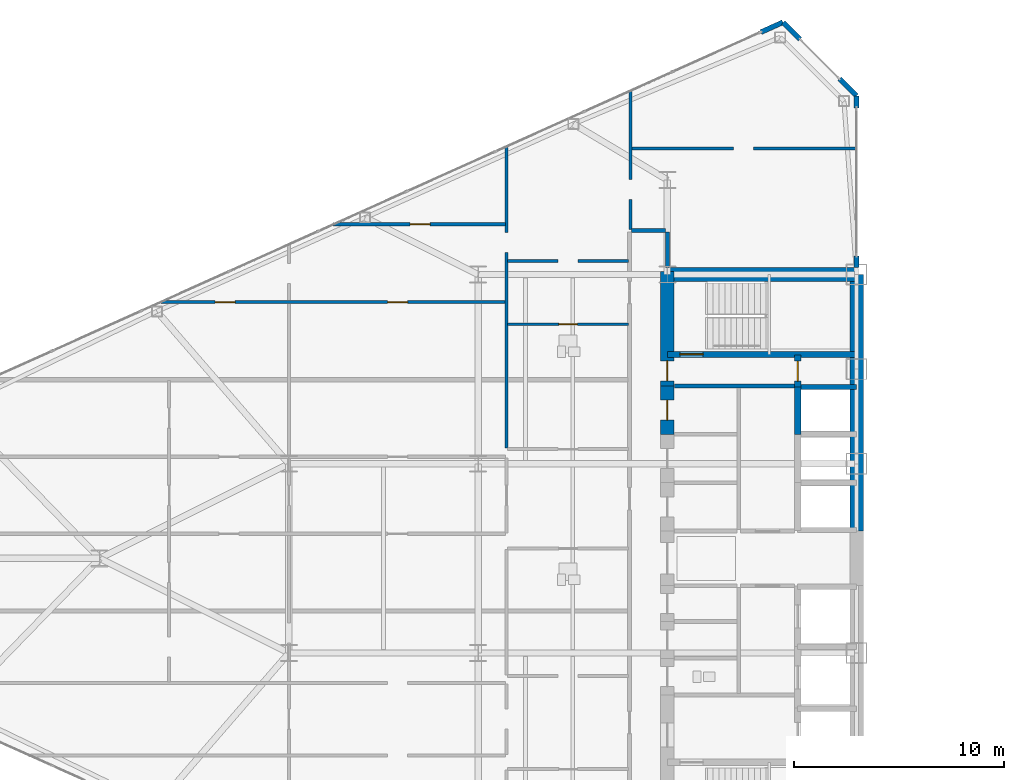
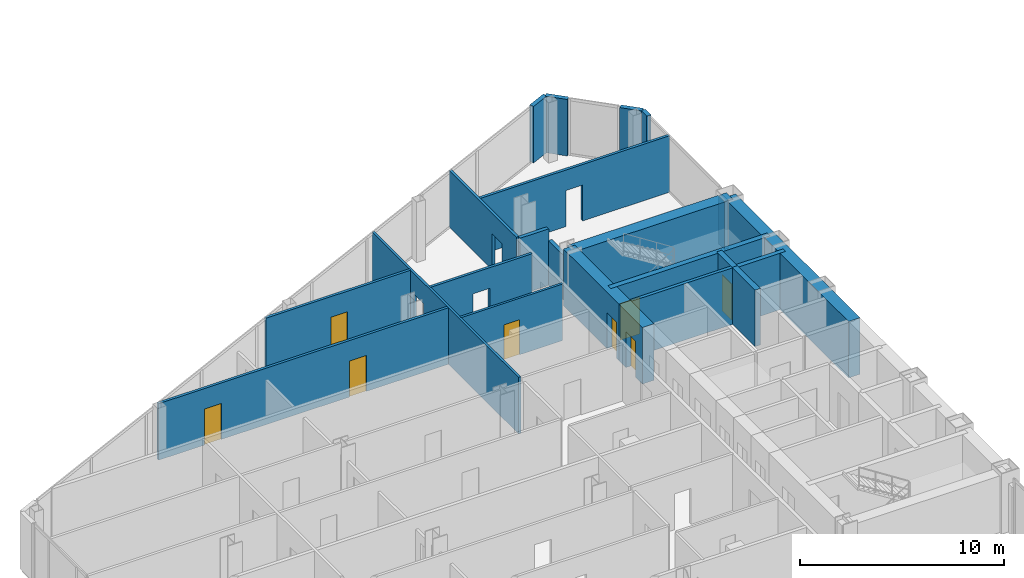
# One storey, part 21 of 27: 23 walls, 8 doors, 12 openings.
"""IFC4 building model written with IfcOpenShell, lengths in metres."""

from ifc_helpers import new_model, si_unit, direction, frame, frame_2d, origin, place, context, subcontext, project, spatial, rectangle, extrude, source, transform, mapped, material, layer, layer_set, type_object, type_shapes, element, fill, save


model = new_model("IFC4")

# Units and contexts
model_context = context("Model", 3, precision=1e-05, world=origin(), true_north=direction((0.0, 1.0)))
body_context = subcontext(model_context, "Body", "Model", "MODEL_VIEW")
ifc_project = project(units=[si_unit("LENGTHUNIT", "METRE"), si_unit("AREAUNIT", "SQUARE_METRE"), si_unit("VOLUMEUNIT", "CUBIC_METRE"), si_unit("PLANEANGLEUNIT", "RADIAN"), si_unit("MASSUNIT", "GRAM", prefix="KILO")], contexts=[model_context])

# Site, building, storey
site_placement = place(None, origin())
site = spatial("IfcSite", under=ifc_project, at=site_placement, CompositionType="ELEMENT")
building_placement = place(site_placement, origin())
building = spatial("IfcBuilding", under=site, at=building_placement, Name="Seokmaru Belvedere", CompositionType="ELEMENT")
storey_placement = place(building_placement, frame((0.0, 0.0, 99.60009765625)))
storey = spatial("IfcBuildingStorey", under=building, at=storey_placement, Name="L26", CompositionType="ELEMENT", Elevation=99.60009765625)

# Wall, openings, doors
ifc_material_1 = material(Name="Fire-Rated Gypsum Shaftwall")
ifc_layer_1 = layer(ifc_material_1, 0.14990234375)
ifc_layer_set_1 = layer_set([ifc_layer_1], Name="Fire-Rated Gypsum Shaftwall")
wall_type_1 = type_object("IfcWallType", Name="Apartment Fire-Acoustic Room Partition 150", PredefinedType="PARTITIONING", material=ifc_layer_set_1)
wall_1_placement = place(storey_placement, frame((-60.60302734375, 12.18994140625, 0.0), z_axis=(0.0, 0.0, 1.0), x_axis=(1.0, 0.0, 0.0)))
wall_1 = element("IfcWall", 1, at=wall_1_placement, inside=storey, type_object=wall_type_1, Name="L26 Interior Partition 024", PredefinedType="PARTITIONING", context=body_context, shape_type="SweptSolid", body=[
    extrude(rectangle(XDim=16.403076171875, YDim=0.14990234375, at=frame_2d((8.20166015625, 0.0))), origin(), (0.0, 0.0, 1.0), 3.3798828125),
])
opening_1_placement = place(wall_1_placement, frame((10.802978515625, 0.0, 0.0)))
opening_1 = element("IfcOpeningElement", 2, at=opening_1_placement, cuts=wall_1, Name="Opening D05", PredefinedType="OPENING", context=body_context, shape_type="SweptSolid", body=[
    extrude(rectangle(XDim=0.949951171875, YDim=2.14990234375, at=frame_2d((0.47509765625, 1.074951171875))), frame((0.0, 0.0849609375, 0.0), z_axis=(0.0, -1.0, 0.0), x_axis=(1.0, 0.0, 0.0)), (0.0, 0.0, 1.0), 0.169921875),
])
opening_2_placement = place(wall_1_placement, frame((2.59375, 0.0, 0.0)))
opening_2 = element("IfcOpeningElement", 3, at=opening_2_placement, cuts=wall_1, Name="Opening D05", PredefinedType="OPENING", context=body_context, shape_type="SweptSolid", body=[
    extrude(rectangle(XDim=0.949951171875, YDim=2.14990234375, at=frame_2d((0.47509765625, 1.074951171875))), frame((0.0, 0.0849609375, 0.0), z_axis=(0.0, -1.0, 0.0), x_axis=(1.0, 0.0, 0.0)), (0.0, 0.0, 1.0), 0.169921875),
])
ifc_material_2 = material(Name="Engineered White Oak Timber", Category="wood")
door_type_1 = type_object("IfcDoorType", Name="Apartment Interior Fire-Rated Oak Door 950x2150", OperationType="NOTDEFINED", PredefinedType="DOOR", material=ifc_material_2)
shared_shape_1 = source(origin(), body_context, "Body", "SweptSolid", [
    extrude(rectangle(XDim=0.949951171875, YDim=2.14990234375, at=frame_2d((0.47509765625, 1.074951171875))), frame((0.0, 0.02490234375, 0.0), z_axis=(0.0, -1.0, 0.0), x_axis=(1.0, 0.0, 0.0)), (0.0, 0.0, 1.0), 0.050048828125),
])
type_shapes(door_type_1, [shared_shape_1])
door_1_placement = place(opening_1_placement, origin())
door_1 = element("IfcDoor", 4, at=door_1_placement, inside=storey, type_object=door_type_1, Name="L26 Interior Door 029", OperationType="SINGLE_SWING_RIGHT", OverallHeight=2.14990234375, OverallWidth=0.949951171875, PredefinedType="DOOR", context=body_context, shape_type="MappedRepresentation", body=[
    mapped(shared_shape_1, transform((0.0, 0.0, 0.0), scale=1.0)),
])
fill(opening_1, door_1)
door_2_placement = place(opening_2_placement, origin())
door_2 = element("IfcDoor", 5, at=door_2_placement, inside=storey, type_object=door_type_1, Name="L26 Interior Door 031", OperationType="SINGLE_SWING_RIGHT", OverallHeight=2.14990234375, OverallWidth=0.949951171875, PredefinedType="DOOR", context=body_context, shape_type="MappedRepresentation", body=[
    mapped(shared_shape_1, transform((0.0, 0.0, 0.0), scale=1.0)),
])
fill(opening_2, door_2)

# Wall, opening
wall_2_placement = place(storey_placement, frame((-44.10009765625, 14.139892578125, 0.0), z_axis=(0.0, 0.0, 1.0), x_axis=(1.0, 0.0, 0.0)))
wall_2 = element("IfcWall", 6, at=wall_2_placement, inside=storey, type_object=wall_type_1, Name="L26 Interior Partition 025", PredefinedType="PARTITIONING", context=body_context, shape_type="SweptSolid", body=[
    extrude(rectangle(XDim=5.75, YDim=0.14990234375, at=frame_2d((2.875, 0.0))), origin(), (0.0, 0.0, 1.0), 3.3798828125),
])
opening_3_placement = place(wall_2_placement, frame((2.39990234375, 0.0, 0.0)))
element("IfcOpeningElement", 7, at=opening_3_placement, cuts=wall_2, Name="L26 Cased Opening 026", PredefinedType="OPENING", context=body_context, shape_type="SweptSolid", body=[
    extrude(rectangle(XDim=0.949951171875, YDim=2.14990234375, at=frame_2d((0.47509765625, 1.074951171875))), frame((0.0, 0.0849609375, 0.0), z_axis=(0.0, -1.0, 0.0), x_axis=(1.0, 0.0, 0.0)), (0.0, 0.0, 1.0), 0.169921875),
])

# Wall, opening, door
wall_3_placement = place(storey_placement, frame((-52.39404296875, 15.889892578125, 0.0), z_axis=(0.0, 0.0, 1.0), x_axis=(1.0, 0.0, 0.0)))
wall_3 = element("IfcWall", 8, at=wall_3_placement, inside=storey, type_object=wall_type_1, Name="L26 Interior Partition 029", PredefinedType="PARTITIONING", context=body_context, shape_type="SweptSolid", body=[
    extrude(rectangle(XDim=8.194091796875, YDim=0.14990234375, at=frame_2d((4.09716796875, 0.0))), origin(), (0.0, 0.0, 1.0), 3.3798828125),
])
opening_4_placement = place(wall_3_placement, frame((3.664306640625, 0.0, 0.0)))
opening_4 = element("IfcOpeningElement", 9, at=opening_4_placement, cuts=wall_3, Name="Opening D05", PredefinedType="OPENING", context=body_context, shape_type="SweptSolid", body=[
    extrude(rectangle(XDim=0.949951171875, YDim=2.14990234375, at=frame_2d((0.47509765625, 1.074951171875))), frame((0.0, 0.0849609375, 0.0), z_axis=(0.0, -1.0, 0.0), x_axis=(1.0, 0.0, 0.0)), (0.0, 0.0, 1.0), 0.169921875),
])
door_3_placement = place(opening_4_placement, origin())
door_3 = element("IfcDoor", 10, at=door_3_placement, inside=storey, type_object=door_type_1, Name="L26 Interior Door 030", OperationType="SINGLE_SWING_LEFT", OverallHeight=2.14990234375, OverallWidth=0.949951171875, PredefinedType="DOOR", context=body_context, shape_type="MappedRepresentation", body=[
    mapped(shared_shape_1, transform((0.0, 0.0, 0.0), scale=1.0)),
])
fill(opening_4, door_3)

# Wall, opening
wall_4_placement = place(storey_placement, frame((-38.199951171875, 19.5, 0.0), z_axis=(0.0, 0.0, 1.0), x_axis=(1.0, 0.0, 0.0)))
wall_4 = element("IfcWall", 11, at=wall_4_placement, inside=storey, type_object=wall_type_1, Name="L26 Interior Partition 030", PredefinedType="PARTITIONING", context=body_context, shape_type="SweptSolid", body=[
    extrude(rectangle(XDim=10.73486328125, YDim=0.14990234375, at=frame_2d((5.367431640625, 0.0))), origin(), (0.0, 0.0, 1.0), 3.3798828125),
])
opening_5_placement = place(wall_4_placement, frame((4.85009765625, 0.0, 0.0)))
element("IfcOpeningElement", 12, at=opening_5_placement, cuts=wall_4, Name="L26 Cased Opening 033", PredefinedType="OPENING", context=body_context, shape_type="SweptSolid", body=[
    extrude(rectangle(XDim=0.949951171875, YDim=2.14990234375, at=frame_2d((0.47509765625, 1.074951171875))), frame((0.0, 0.0849609375, 0.0), z_axis=(0.0, -1.0, 0.0), x_axis=(1.0, 0.0, 0.0)), (0.0, 0.0, 1.0), 0.169921875),
])

wall_5_placement = place(storey_placement, frame((-38.25, 15.64990234375, 0.0), z_axis=(0.0, 0.0, 1.0), x_axis=(0.0, 1.0, 0.0)))
wall_5 = element("IfcWall", 13, at=wall_5_placement, inside=storey, type_object=wall_type_1, Name="L26 Interior Partition 040", PredefinedType="PARTITIONING", context=body_context, shape_type="SweptSolid", body=[
    extrude(rectangle(XDim=6.623046875, YDim=0.14990234375, at=frame_2d((3.3115234375, 0.0))), origin(), (0.0, 0.0, 1.0), 3.3798828125),
])
opening_6_placement = place(wall_5_placement, frame((1.425048828125, 0.0, 0.0)))
element("IfcOpeningElement", 14, at=opening_6_placement, cuts=wall_5, Name="L26 Cased Opening 032", PredefinedType="OPENING", context=body_context, shape_type="SweptSolid", body=[
    extrude(rectangle(XDim=0.949951171875, YDim=2.14990234375, at=frame_2d((0.47509765625, 1.074951171875))), frame((0.0, 0.0849609375, 0.0), z_axis=(0.0, -1.0, 0.0), x_axis=(1.0, 0.0, 0.0)), (0.0, 0.0, 1.0), 0.169921875),
])

# Walls
ifc_layer_2 = layer(ifc_material_1, 0.179931640625)
ifc_layer_set_2 = layer_set([ifc_layer_2], Name="Fire-Rated Gypsum Shaftwall")
wall_type_2 = type_object("IfcWallType", Name="Core Service Fire Partition 180", PredefinedType="PARTITIONING", material=ifc_layer_set_2)
wall_6_placement = place(storey_placement, frame((-36.14990234375, 8.199951171875, 0.0), z_axis=(0.0, 0.0, 1.0), x_axis=(1.0, 0.0, 0.0)))
element("IfcWall", 15, at=wall_6_placement, inside=storey, type_object=wall_type_2, Name="L26 West Smokeproof Vestibule Partition", PredefinedType="PARTITIONING", context=body_context, shape_type="SweptSolid", body=[
    extrude(rectangle(XDim=5.699951171875, YDim=0.179931640625, at=frame_2d((2.85009765625, 0.0))), origin(), (0.0, 0.0, 1.0), 3.3798828125),
])
ifc_material_3 = material(Name="Concrete C50 (50 MPa)", Category="concrete")
ifc_layer_3 = layer(ifc_material_3, 0.25)
ifc_layer_set_3 = layer_set([ifc_layer_3], Name="Concrete C50 (50 MPa)")
wall_type_3 = type_object("IfcWallType", Name="Hoistway Transverse Concrete Divider Wall 250", PredefinedType="SHEAR", material=ifc_layer_set_3)
wall_7_placement = place(storey_placement, frame((-30.300048828125, 8.14990234375, 0.0), z_axis=(0.0, 0.0, 1.0), x_axis=(1.0, 0.0, 0.0)))
element("IfcWall", 16, at=wall_7_placement, inside=storey, type_object=wall_type_3, Name="L26 West Hoistway Divider Core Wall 7", PredefinedType="SHEAR", context=body_context, shape_type="SweptSolid", body=[
    extrude(rectangle(XDim=2.800048828125, YDim=0.25, at=frame_2d((1.39990234375, 0.0))), origin(), (0.0, 0.0, 1.0), 3.3798828125),
])
ifc_layer_4 = layer(ifc_material_1, 0.199951171875)
ifc_layer_set_4 = layer_set([ifc_layer_4], Name="Fire-Rated Gypsum Shaftwall")
wall_type_4 = type_object("IfcWallType", Name="Inter-Tenancy Fire Compartment Partition 200", PredefinedType="PARTITIONING", material=ifc_layer_set_4)
wall_8_placement = place(storey_placement, frame((-38.215087890625, 15.60009765625, 0.0), z_axis=(0.0, 0.0, 1.0), x_axis=(1.0, 0.0, 0.0)))
element("IfcWall", 17, at=wall_8_placement, inside=storey, type_object=wall_type_4, Name="L26 Interior Partition 027", PredefinedType="PARTITIONING", context=body_context, shape_type="SweptSolid", body=[
    extrude(rectangle(XDim=1.630126953125, YDim=0.199951171875, at=frame_2d((0.81494140625, 0.0))), origin(), (0.0, 0.0, 1.0), 3.3798828125),
])
wall_9_placement = place(storey_placement, frame((-36.5, 13.830078125, 0.0), z_axis=(0.0, 0.0, 1.0), x_axis=(0.0, 1.0, 0.0)))
element("IfcWall", 18, at=wall_9_placement, inside=storey, type_object=wall_type_4, Name="L26 Interior Partition 042", PredefinedType="PARTITIONING", context=body_context, shape_type="SweptSolid", body=[
    extrude(rectangle(XDim=1.684814453125, YDim=0.199951171875, at=frame_2d((0.84228515625, 0.0))), origin(), (0.0, 0.0, 1.0), 2.679931640625),
])

# Wall, opening, door
ifc_layer_5 = layer(ifc_material_3, 0.300048828125)
ifc_layer_set_5 = layer_set([ifc_layer_5], Name="Concrete C50 (50 MPa)")
wall_type_5 = type_object("IfcWallType", Name="Internal Core Stair and Hoistway Wall 300", PredefinedType="SHEAR", material=ifc_layer_set_5)
wall_10_placement = place(storey_placement, frame((-36.5, 9.699951171875, 0.0), z_axis=(0.0, 0.0, 1.0), x_axis=(1.0, 0.0, 0.0)))
wall_10 = element("IfcWall", 19, at=wall_10_placement, inside=storey, type_object=wall_type_5, Name="L26 West Stair ST-2 Enclosure Wall", PredefinedType="SHEAR", context=body_context, shape_type="SweptSolid", body=[
    extrude(rectangle(XDim=9.0, YDim=0.300048828125, at=frame_2d((4.5, 0.0))), origin(), (0.0, 0.0, 1.0), 3.3798828125),
])
opening_7_placement = place(wall_10_placement, frame((0.60009765625, 0.0, 0.0)))
opening_7 = element("IfcOpeningElement", 20, at=opening_7_placement, cuts=wall_10, Name="Opening D01", PredefinedType="OPENING", context=body_context, shape_type="SweptSolid", body=[
    extrude(rectangle(XDim=1.10009765625, YDim=2.199951171875, at=frame_2d((0.550048828125, 1.10009765625))), frame((0.0, 0.16015625, 0.0), z_axis=(0.0, -1.0, 0.0), x_axis=(1.0, 0.0, 0.0)), (0.0, 0.0, 1.0), 0.320068359375),
])
ifc_material_4 = material(Name="Fire-Rated Steel Leaf", Category="steel")
door_type_2 = type_object("IfcDoorType", Name="Special Escape Stair Smokeproof Fire Door 1100x2200", OperationType="NOTDEFINED", PredefinedType="DOOR", material=ifc_material_4)
shared_shape_2 = source(origin(), body_context, "Body", "SweptSolid", [
    extrude(rectangle(XDim=1.10009765625, YDim=2.199951171875, at=frame_2d((0.550048828125, 1.10009765625))), frame((0.0, 0.02490234375, 0.0), z_axis=(0.0, -1.0, 0.0), x_axis=(1.0, 0.0, 0.0)), (0.0, 0.0, 1.0), 0.050048828125),
])
type_shapes(door_type_2, [shared_shape_2])
door_4_placement = place(opening_7_placement, origin())
door_4 = element("IfcDoor", 21, at=door_4_placement, inside=storey, type_object=door_type_2, Name="L26 West Special Escape Stair ST-2 Door", OperationType="SINGLE_SWING_RIGHT", OverallHeight=2.199951171875, OverallWidth=1.10009765625, PredefinedType="DOOR", context=body_context, shape_type="MappedRepresentation", body=[
    mapped(shared_shape_2, transform((0.0, 0.0, 0.0), scale=1.0)),
])
fill(opening_7, door_4)

# Wall
wall_11_placement = place(storey_placement, frame((-30.300048828125, 5.89990234375, 0.0), z_axis=(0.0, 0.0, 1.0), x_axis=(0.0, 1.0, 0.0)))
element("IfcWall", 22, at=wall_11_placement, inside=storey, type_object=wall_type_5, Name="L26 West North Hoistway Wall OBS", PredefinedType="SHEAR", context=body_context, shape_type="SweptSolid", body=[
    extrude(rectangle(XDim=2.25, YDim=0.300048828125, at=frame_2d((1.125, 0.0))), origin(), (0.0, 0.0, 1.0), 3.3798828125),
])

# Wall, opening, door
wall_12_placement = place(storey_placement, frame((-30.300048828125, 8.14990234375, 0.0), z_axis=(0.0, 0.0, 1.0), x_axis=(0.0, 1.0, 0.0)))
wall_12 = element("IfcWall", 23, at=wall_12_placement, inside=storey, type_object=wall_type_5, Name="L26 West Electrical Riser Front Wall", PredefinedType="SHEAR", context=body_context, shape_type="SweptSolid", body=[
    extrude(rectangle(XDim=1.530029296875, YDim=0.300048828125, at=frame_2d((0.76513671875, 0.0))), origin(), (0.0, 0.0, 1.0), 3.3798828125),
])
opening_8_placement = place(wall_12_placement, frame((0.284912109375, 0.0, 0.0)))
opening_8 = element("IfcOpeningElement", 24, at=opening_8_placement, cuts=wall_12, Name="Opening D04", PredefinedType="OPENING", context=body_context, shape_type="SweptSolid", body=[
    extrude(rectangle(XDim=0.949951171875, YDim=2.14990234375, at=frame_2d((0.47509765625, 1.074951171875))), frame((0.0, 0.16015625, 0.0), z_axis=(0.0, -1.0, 0.0), x_axis=(1.0, 0.0, 0.0)), (0.0, 0.0, 1.0), 0.320068359375),
])
door_type_3 = type_object("IfcDoorType", Name="Core Service Room Fire Door 950x2150", OperationType="NOTDEFINED", PredefinedType="DOOR", material=ifc_material_4)
shared_shape_3 = source(origin(), body_context, "Body", "SweptSolid", [
    extrude(rectangle(XDim=0.949951171875, YDim=2.14990234375, at=frame_2d((0.47509765625, 1.074951171875))), frame((0.0, 0.02490234375, 0.0), z_axis=(0.0, -1.0, 0.0), x_axis=(1.0, 0.0, 0.0)), (0.0, 0.0, 1.0), 0.050048828125),
])
type_shapes(door_type_3, [shared_shape_3])
door_5_placement = place(opening_8_placement, origin())
door_5 = element("IfcDoor", 25, at=door_5_placement, inside=storey, type_object=door_type_3, Name="L26 West Electrical Riser Access Door", OperationType="SINGLE_SWING_LEFT", OverallHeight=2.14990234375, OverallWidth=0.949951171875, PredefinedType="DOOR", context=body_context, shape_type="MappedRepresentation", body=[
    mapped(shared_shape_3, transform((0.0, 0.0, 0.0), scale=1.0)),
])
fill(opening_8, door_5)

# Walls
ifc_material_5 = material(Name="Concrete C60 (60 MPa)", Category="concrete")
ifc_layer_6 = layer(ifc_material_5, 0.64990234375)
ifc_layer_set_6 = layer_set([ifc_layer_6], Name="Concrete C60 (60 MPa)")
wall_type_6 = type_object("IfcWallType", Name="Mid-Low Reinforced Concrete Core Wall 650", PredefinedType="SHEAR", material=ifc_layer_set_6)
wall_13_placement = place(storey_placement, frame((-27.5, 1.300048828125, 0.0), z_axis=(0.0, 0.0, 1.0), x_axis=(0.0, 1.0, 0.0)))
element("IfcWall", 26, at=wall_13_placement, inside=storey, type_object=wall_type_6, Name="L26 West Portal Spine Core Wall North", PredefinedType="SHEAR", context=body_context, shape_type="SweptSolid", body=[
    extrude(rectangle(XDim=12.199951171875, YDim=0.64990234375, at=frame_2d((6.10009765625, 0.0))), origin(), (0.0, 0.0, 1.0), 3.3798828125),
])
wall_14_placement = place(storey_placement, frame((-36.5, 13.5, 0.0), z_axis=(0.0, 0.0, 1.0), x_axis=(1.0, 0.0, 0.0)))
element("IfcWall", 27, at=wall_14_placement, inside=storey, type_object=wall_type_6, Name="L26 West North Core Wall", PredefinedType="SHEAR", context=body_context, shape_type="SweptSolid", body=[
    extrude(rectangle(XDim=9.0, YDim=0.64990234375, at=frame_2d((4.5, 0.0))), origin(), (0.0, 0.0, 1.0), 3.3798828125),
])

# Wall, opening, door
wall_15_placement = place(storey_placement, frame((-36.5, 8.199951171875, 0.0), z_axis=(0.0, 0.0, 1.0), x_axis=(0.0, 1.0, 0.0)))
wall_15 = element("IfcWall", 28, at=wall_15_placement, inside=storey, type_object=wall_type_6, Name="L26 West West Core Wall VST", PredefinedType="SHEAR", context=body_context, shape_type="SweptSolid", body=[
    extrude(rectangle(XDim=5.449951171875, YDim=0.64990234375, at=frame_2d((2.72509765625, 0.0))), origin(), (0.0, 0.0, 1.0), 3.3798828125),
])
opening_9_placement = place(wall_15_placement, frame((0.2451171875, 0.0, 0.0)))
opening_9 = element("IfcOpeningElement", 29, at=opening_9_placement, cuts=wall_15, Name="Opening D04", PredefinedType="OPENING", context=body_context, shape_type="SweptSolid", body=[
    extrude(rectangle(XDim=0.949951171875, YDim=2.14990234375, at=frame_2d((0.47509765625, 1.074951171875))), frame((0.0, 0.3349609375, 0.0), z_axis=(0.0, -1.0, 0.0), x_axis=(1.0, 0.0, 0.0)), (0.0, 0.0, 1.0), 0.669921875),
])
door_6_placement = place(opening_9_placement, frame((0.949951171875, 0.0, 0.0), z_axis=(0.0, 0.0, 1.0), x_axis=(-1.0, 0.0, 0.0)))
door_6 = element("IfcDoor", 30, at=door_6_placement, inside=storey, type_object=door_type_3, Name="L26 West Smokeproof Vestibule Door", OperationType="SINGLE_SWING_RIGHT", OverallHeight=2.14990234375, OverallWidth=0.949951171875, PredefinedType="DOOR", context=body_context, shape_type="MappedRepresentation", body=[
    mapped(shared_shape_3, transform((0.0, 0.0, 0.0), scale=1.0)),
])
fill(opening_9, door_6)

wall_16_placement = place(storey_placement, frame((-36.5, 5.89990234375, 0.0), z_axis=(0.0, 0.0, 1.0), x_axis=(0.0, 1.0, 0.0)))
wall_16 = element("IfcWall", 31, at=wall_16_placement, inside=storey, type_object=wall_type_6, Name="L26 West West Core Wall CS6", PredefinedType="SHEAR", context=body_context, shape_type="SweptSolid", body=[
    extrude(rectangle(XDim=2.300048828125, YDim=0.64990234375, at=frame_2d((1.14990234375, 0.0))), origin(), (0.0, 0.0, 1.0), 3.3798828125),
])
opening_10_placement = place(wall_16_placement, frame((0.675048828125, 0.0, 0.0)))
opening_10 = element("IfcOpeningElement", 32, at=opening_10_placement, cuts=wall_16, Name="Opening D04", PredefinedType="OPENING", context=body_context, shape_type="SweptSolid", body=[
    extrude(rectangle(XDim=0.949951171875, YDim=2.14990234375, at=frame_2d((0.47509765625, 1.074951171875))), frame((0.0, 0.3349609375, 0.0), z_axis=(0.0, -1.0, 0.0), x_axis=(1.0, 0.0, 0.0)), (0.0, 0.0, 1.0), 0.669921875),
])
door_7_placement = place(opening_10_placement, origin())
door_7 = element("IfcDoor", 33, at=door_7_placement, inside=storey, type_object=door_type_3, Name="L26 West Core Service Room Door 6", OperationType="SINGLE_SWING_RIGHT", OverallHeight=2.14990234375, OverallWidth=0.949951171875, PredefinedType="DOOR", context=body_context, shape_type="MappedRepresentation", body=[
    mapped(shared_shape_3, transform((0.0, 0.0, 0.0), scale=1.0)),
])
fill(opening_10, door_7)

ifc_layer_7 = layer(ifc_material_1, 0.1298828125)
ifc_layer_set_7 = layer_set([ifc_layer_7], Name="Fire-Rated Gypsum Shaftwall")
wall_type_7 = type_object("IfcWallType", Name="Moisture-Resistant Fire-Rated Bathroom Partition 130", PredefinedType="PARTITIONING", material=ifc_layer_set_7)
wall_17_placement = place(storey_placement, frame((-44.10009765625, 11.139892578125, 0.0), z_axis=(0.0, 0.0, 1.0), x_axis=(1.0, 0.0, 0.0)))
wall_17 = element("IfcWall", 34, at=wall_17_placement, inside=storey, type_object=wall_type_7, Name="L26 Interior Partition 023", PredefinedType="PARTITIONING", context=body_context, shape_type="SweptSolid", body=[
    extrude(rectangle(XDim=5.75, YDim=0.1298828125, at=frame_2d((2.875, 0.0))), origin(), (0.0, 0.0, 1.0), 3.3798828125),
])
opening_11_placement = place(wall_17_placement, frame((2.43505859375, 0.0, 0.0)))
opening_11 = element("IfcOpeningElement", 35, at=opening_11_placement, cuts=wall_17, Name="Opening D06", PredefinedType="OPENING", context=body_context, shape_type="SweptSolid", body=[
    extrude(rectangle(XDim=0.8798828125, YDim=2.10009765625, at=frame_2d((0.43994140625, 1.050048828125))), frame((0.0, 0.074951171875, 0.0), z_axis=(0.0, -1.0, 0.0), x_axis=(1.0, 0.0, 0.0)), (0.0, 0.0, 1.0), 0.14990234375),
])
door_type_4 = type_object("IfcDoorType", Name="Bathroom and Restroom Fire-Rated Door 880x2100", OperationType="NOTDEFINED", PredefinedType="DOOR", material=ifc_material_2)
shared_shape_4 = source(origin(), body_context, "Body", "SweptSolid", [
    extrude(rectangle(XDim=0.8798828125, YDim=2.10009765625, at=frame_2d((0.43994140625, 1.050048828125))), frame((0.0, 0.02490234375, 0.0), z_axis=(0.0, -1.0, 0.0), x_axis=(1.0, 0.0, 0.0)), (0.0, 0.0, 1.0), 0.050048828125),
])
type_shapes(door_type_4, [shared_shape_4])
door_8_placement = place(opening_11_placement, origin())
door_8 = element("IfcDoor", 36, at=door_8_placement, inside=storey, type_object=door_type_4, Name="L26 Interior Door 025", OperationType="SINGLE_SWING_LEFT", OverallHeight=2.10009765625, OverallWidth=0.8798828125, PredefinedType="DOOR", context=body_context, shape_type="MappedRepresentation", body=[
    mapped(shared_shape_4, transform((0.0, 0.0, 0.0), scale=1.0)),
])
fill(opening_11, door_8)

# Wall, opening
wall_18_placement = place(storey_placement, frame((-44.14990234375, 5.251953125, 0.0), z_axis=(0.0, 0.0, 1.0), x_axis=(0.0, 1.0, 0.0)))
wall_18 = element("IfcWall", 37, at=wall_18_placement, inside=storey, type_object=wall_type_7, Name="L26 Interior Partition 038", PredefinedType="PARTITIONING", context=body_context, shape_type="SweptSolid", body=[
    extrude(rectangle(XDim=14.364990234375, YDim=0.1298828125, at=frame_2d((7.1826171875, 0.0))), origin(), (0.0, 0.0, 1.0), 3.3798828125),
])
opening_12_placement = place(wall_18_placement, frame((9.28955078125, 0.0, 0.0)))
element("IfcOpeningElement", 38, at=opening_12_placement, cuts=wall_18, Name="L26 Cased Opening 027", PredefinedType="OPENING", context=body_context, shape_type="SweptSolid", body=[
    extrude(rectangle(XDim=0.949951171875, YDim=2.14990234375, at=frame_2d((0.47509765625, 1.074951171875))), frame((0.0, 0.074951171875, 0.0), z_axis=(0.0, -1.0, 0.0), x_axis=(1.0, 0.0, 0.0)), (0.0, 0.0, 1.0), 0.14990234375),
])

# Walls
ifc_material_6 = material(Name="Anodised Bronze Aluminium", Category="aluminium")
ifc_layer_8 = layer(ifc_material_6, 0.239990234375)
ifc_layer_set_8 = layer_set([ifc_layer_8], Name="Anodised Bronze Aluminium")
wall_type_8 = type_object("IfcWallType", Name="Tower Corner Spandrel Closure Wall 240", PredefinedType="SOLIDWALL", material=ifc_layer_set_8)
wall_19_placement = place(storey_placement, frame((-27.5, 13.830078125, 0.0), z_axis=(0.0, 0.0, 1.0), x_axis=(0.0, 1.0, 0.0)))
element("IfcWall", 39, at=wall_19_placement, inside=storey, type_object=wall_type_8, Name="L26 W Spine Closure Pier 2A", PredefinedType="SOLIDWALL", context=body_context, shape_type="SweptSolid", body=[
    extrude(rectangle(XDim=0.5498046875, YDim=0.239990234375, at=frame_2d((0.27490234375, 0.0))), origin(), (0.0, 0.0, 1.0), 2.8798828125),
])
wall_20_placement = place(storey_placement, frame((-27.5, 21.429931640625, 0.0), z_axis=(0.0, 0.0, 1.0), x_axis=(0.0, 1.0, 0.0)))
element("IfcWall", 40, at=wall_20_placement, inside=storey, type_object=wall_type_8, Name="L26 W Spine Closure Pier 2B", PredefinedType="SOLIDWALL", context=body_context, shape_type="SweptSolid", body=[
    extrude(rectangle(XDim=0.550048828125, YDim=0.239990234375, at=frame_2d((0.27490234375, 0.0))), origin(), (0.0, 0.0, 1.0), 3.3798828125),
])
for number, where, z_axis, x_axis, name in (
    (41, (-27.507080078125, 22.007080078125, 0.0), (0.0, 0.0, 1.0), (-0.707106781187, 0.707106781187, 0.0), "L26 W Corner Closure Pier 2A"),
    (42, (-30.186767578125, 24.686767578125, 0.0), (0.0, 0.0, 1.0), (-0.707106781187, 0.707106781187, 0.0), "L26 W Corner Closure Pier 2B"),
):
    element("IfcWall", number, at=place(storey_placement, frame(where, z_axis=z_axis, x_axis=x_axis)), inside=storey, type_object=wall_type_8, Name=name, PredefinedType="SOLIDWALL", context=body_context, shape_type="SweptSolid", body=[
        extrude(rectangle(XDim=1.14013671875, YDim=0.239990234375, at=frame_2d((0.570068359375, 0.0))), origin(), (0.0, 0.0, 1.0), 3.3798828125),
    ])
wall_21_placement = place(storey_placement, frame((-31.009033203125, 25.495849609375, 0.0), z_axis=(0.0, 0.0, 1.0), x_axis=(-0.911929519623, -0.410346866979, 0.0)))
element("IfcWall", 43, at=wall_21_placement, inside=storey, type_object=wall_type_8, Name="L26 W Corner Closure Pier 3A", PredefinedType="SOLIDWALL", context=body_context, shape_type="SweptSolid", body=[
    extrude(rectangle(XDim=1.139892578125, YDim=0.239990234375, at=frame_2d((0.56982421875, 0.0))), origin(), (0.0, 0.0, 1.0), 3.3798828125),
])

save(model, "model.ifc")
